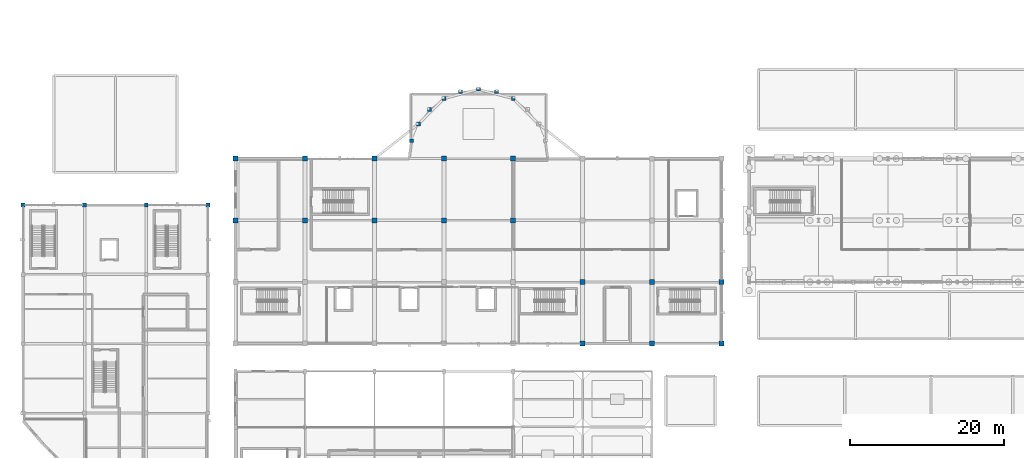
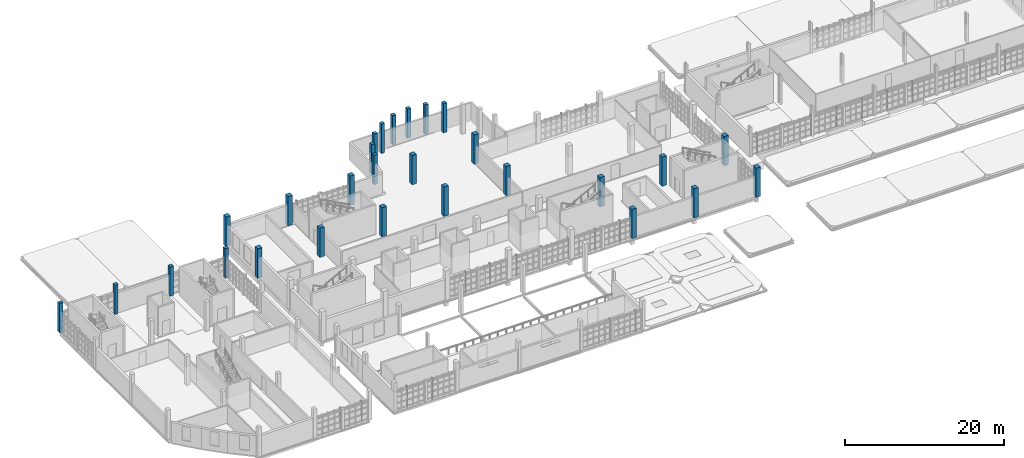
# One storey, part 5 of 125: 28 columns.
"""IFC4 building model written with IfcOpenShell, lengths in metres."""

from ifc_helpers import new_model, si_unit, direction, frame, origin, origin_2d, place, context, subcontext, project, spatial, rectangle, extrude, material, material_profile, profile_set, type_object, element, save


model = new_model("IFC4")

# Units and contexts
model_context = context("Model", 3, precision=1e-05, world=origin(), true_north=direction((0.0, 1.0)))
body_context = subcontext(model_context, "Body", "Model", "MODEL_VIEW")
ifc_project = project(units=[si_unit("LENGTHUNIT", "METRE"), si_unit("AREAUNIT", "SQUARE_METRE"), si_unit("VOLUMEUNIT", "CUBIC_METRE"), si_unit("PLANEANGLEUNIT", "RADIAN"), si_unit("MASSUNIT", "GRAM", prefix="KILO")], contexts=[model_context])

# Site, building, storey
site_placement = place(None, origin())
site = spatial("IfcSite", under=ifc_project, at=site_placement, CompositionType="ELEMENT")
building_placement = place(site_placement, origin())
building = spatial("IfcBuilding", under=site, at=building_placement, Name="Serraforn Aerial Cableway Station", CompositionType="ELEMENT")
storey_placement = place(building_placement, frame((0.0, 0.0, 4.5)))
storey = spatial("IfcBuildingStorey", under=building, at=storey_placement, Name="L01", CompositionType="ELEMENT", Elevation=4.5)

# Columns
ifc_material = material(Name="Concrete C35/45", Category="concrete")
ifc_material_profile_1 = material_profile(ifc_material, rectangle(XDim=0.5, YDim=0.5, at=origin_2d()), Name="RC 500x500")
ifc_profile_set_1 = profile_set([ifc_material_profile_1], Name="Concrete C35/45")
column_type_1 = type_object("IfcColumnType", Name="COL-RC-500E", PredefinedType="COLUMN", material=ifc_profile_set_1)
for number, where, z_axis, x_axis, name in (
    (1, (0.0, 36.0, 0.0), (0.0, 0.0, 1.0), (1.0, 0.0, 0.0), "Column W L01 1-E"),
    (2, (8.0, 36.0, 0.0), (0.0, 0.0, 1.0), (1.0, 0.0, 0.0), "Column W L01 2-E"),
    (3, (16.0, 36.0, 0.0), (0.0, 0.0, 1.0), (1.0, 0.0, 0.0), "Column W L01 3-E"),
    (4, (24.0, 36.0, 0.0), (0.0, 0.0, 1.0), (1.0, 0.0, 0.0), "Column W L01 4-E"),
    (5, (50.40673828125, 44.329345703125, 0.0), (0.0, 0.0, 1.0), (1.0, 0.0, 0.0), "Apse Radial Column L01-1"),
    (6, (51.305908203125, 46.5, 0.0), (0.0, 0.0, 1.0), (1.0, 0.0, 0.0), "Apse Radial Column L01-2"),
    (7, (52.736083984375, 48.364013671875, 0.0), (0.0, 0.0, 1.0), (1.0, 0.0, 0.0), "Apse Radial Column L01-3"),
    (8, (54.60009765625, 49.794189453125, 0.0), (0.0, 0.0, 1.0), (1.0, 0.0, 0.0), "Apse Radial Column L01-4"),
    (9, (56.7705078125, 50.693359375, 0.0), (0.0, 0.0, 1.0), (1.0, 0.0, 0.0), "Apse Radial Column L01-5"),
    (10, (59.10009765625, 51.0, 0.0), (0.0, 0.0, 1.0), (1.0, 0.0, 0.0), "Apse Radial Column L01-6"),
    (11, (61.429443359375, 50.693359375, 0.0), (0.0, 0.0, 1.0), (1.0, 0.0, 0.0), "Apse Radial Column L01-7"),
    (12, (63.60009765625, 49.794189453125, 0.0), (0.0, 0.0, 1.0), (1.0, 0.0, 0.0), "Apse Radial Column L01-8"),
):
    element("IfcColumn", number, at=place(storey_placement, frame(where, z_axis=z_axis, x_axis=x_axis)), inside=storey, type_object=column_type_1, Name=name, PredefinedType="COLUMN", context=body_context, shape_type="SweptSolid", body=[
        extrude(rectangle(XDim=0.5, YDim=0.5, at=origin_2d()), origin(), (0.0, 0.0, 1.0), 4.5),
    ])
ifc_material_profile_2 = material_profile(ifc_material, rectangle(XDim=0.64990234375, YDim=0.64990234375, at=origin_2d()), Name="RC 650x650")
ifc_profile_set_2 = profile_set([ifc_material_profile_2], Name="Concrete C35/45")
column_type_2 = type_object("IfcColumnType", Name="COL-RC-650", PredefinedType="COLUMN", material=ifc_profile_set_2)
for number, where, z_axis, x_axis, name in (
    (13, (36.60009765625, 34.0, 0.0), (0.0, 0.0, 1.0), (1.0, 0.0, 0.0), "Column CV L01 6-D2"),
    (14, (45.60009765625, 34.0, 0.0), (0.0, 0.0, 1.0), (1.0, 0.0, 0.0), "Column CV L01 7-D2"),
    (15, (54.60009765625, 34.0, 0.0), (0.0, 0.0, 1.0), (1.0, 0.0, 0.0), "Column CV L01 8-D2"),
    (16, (63.60009765625, 34.0, 0.0), (0.0, 0.0, 1.0), (1.0, 0.0, 0.0), "Column CV L01 9-D2"),
    (17, (72.60009765625, 26.0, 0.0), (0.0, 0.0, 1.0), (1.0, 0.0, 0.0), "Column CV L01 10-D1"),
    (18, (81.60009765625, 26.0, 0.0), (0.0, 0.0, 1.0), (1.0, 0.0, 0.0), "Column CV L01 11-D1"),
):
    element("IfcColumn", number, at=place(storey_placement, frame(where, z_axis=z_axis, x_axis=x_axis)), inside=storey, type_object=column_type_2, Name=name, PredefinedType="COLUMN", context=body_context, shape_type="SweptSolid", body=[
        extrude(rectangle(XDim=0.64990234375, YDim=0.64990234375, at=origin_2d()), origin(), (0.0, 0.0, 1.0), 4.5),
    ])
ifc_material_profile_3 = material_profile(ifc_material, rectangle(XDim=0.64990234375, YDim=0.64990234375, at=origin_2d()), Name="RC 650x650")
ifc_profile_set_3 = profile_set([ifc_material_profile_3], Name="Concrete C35/45")
column_type_3 = type_object("IfcColumnType", Name="COL-RC-650E", PredefinedType="COLUMN", material=ifc_profile_set_3)
for number, where, z_axis, x_axis, name in (
    (19, (27.60009765625, 34.0, 0.0), (0.0, 0.0, 1.0), (1.0, 0.0, 0.0), "Column CV L01 5-D2"),
    (20, (27.60009765625, 42.0, 0.0), (0.0, 0.0, 1.0), (1.0, 0.0, 0.0), "Column CV L01 5-F"),
    (21, (36.60009765625, 42.0, 0.0), (0.0, 0.0, 1.0), (1.0, 0.0, 0.0), "Column CV L01 6-F"),
    (22, (45.60009765625, 42.0, 0.0), (0.0, 0.0, 1.0), (1.0, 0.0, 0.0), "Column CV L01 7-F"),
    (23, (54.60009765625, 42.0, 0.0), (0.0, 0.0, 1.0), (1.0, 0.0, 0.0), "Column CV L01 8-F"),
    (24, (63.60009765625, 42.0, 0.0), (0.0, 0.0, 1.0), (1.0, 0.0, 0.0), "Column CV L01 9-F"),
    (25, (72.60009765625, 18.0, 0.0), (0.0, 0.0, 1.0), (1.0, 0.0, 0.0), "Column CV L01 10-C"),
    (26, (81.60009765625, 18.0, 0.0), (0.0, 0.0, 1.0), (1.0, 0.0, 0.0), "Column CV L01 11-C"),
    (27, (90.60009765625, 18.0, 0.0), (0.0, 0.0, 1.0), (1.0, 0.0, 0.0), "Column CV L01 12-C"),
    (28, (90.60009765625, 26.0, 0.0), (0.0, 0.0, 1.0), (1.0, 0.0, 0.0), "Column CV L01 12-D1"),
):
    element("IfcColumn", number, at=place(storey_placement, frame(where, z_axis=z_axis, x_axis=x_axis)), inside=storey, type_object=column_type_3, Name=name, PredefinedType="COLUMN", context=body_context, shape_type="SweptSolid", body=[
        extrude(rectangle(XDim=0.64990234375, YDim=0.64990234375, at=origin_2d()), origin(), (0.0, 0.0, 1.0), 4.5),
    ])

save(model, "model.ifc")
